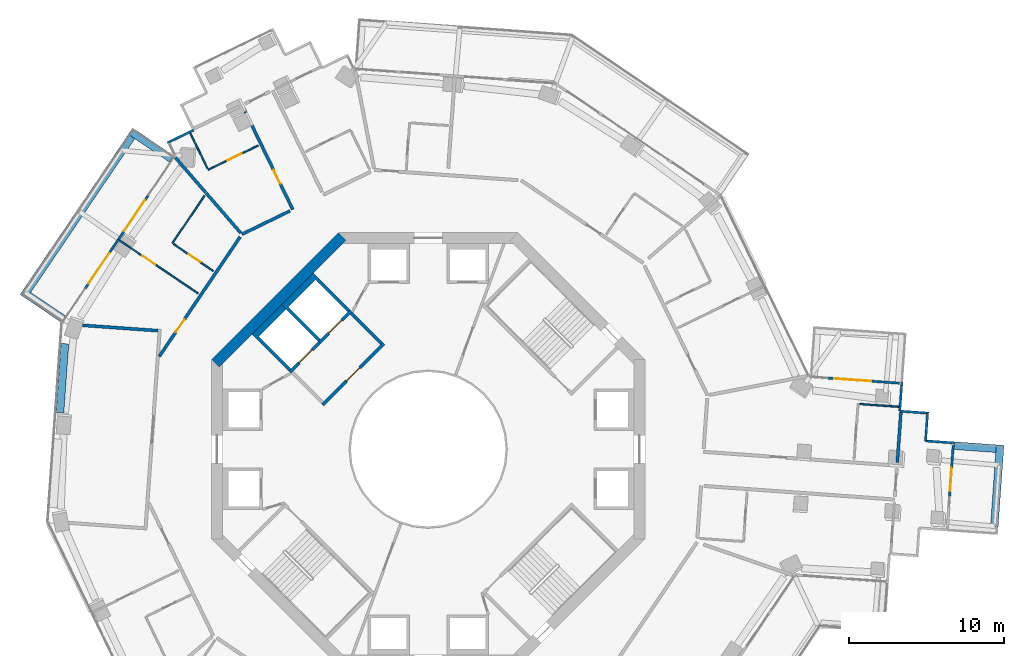
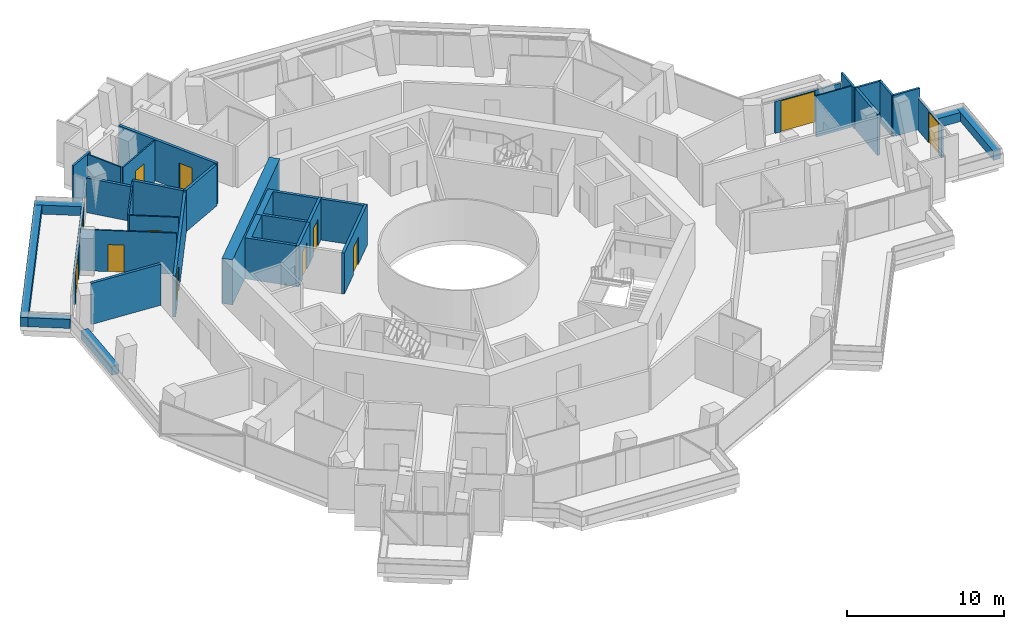
# One storey, part 17 of 22: 35 walls, 12 doors, 12 openings.
"""IFC4 building model written with IfcOpenShell, lengths in metres."""

from ifc_helpers import new_model, si_unit, direction, frame, frame_2d, origin, place, context, subcontext, project, spatial, polyline, rectangle, outline, extrude, material, layer, layer_set, type_object, element, fill, save


model = new_model("IFC4")

# Units and contexts
model_context = context("Model", 3, precision=1e-05, world=origin(), true_north=direction((0.0, 1.0)))
body_context = subcontext(model_context, "Body", "Model", "MODEL_VIEW")
ifc_project = project(units=[si_unit("LENGTHUNIT", "METRE"), si_unit("AREAUNIT", "SQUARE_METRE"), si_unit("VOLUMEUNIT", "CUBIC_METRE"), si_unit("PLANEANGLEUNIT", "RADIAN"), si_unit("MASSUNIT", "GRAM", prefix="KILO")], contexts=[model_context])

# Site, building, storey
site_placement = place(None, origin())
site = spatial("IfcSite", under=ifc_project, at=site_placement, CompositionType="ELEMENT")
building_placement = place(site_placement, origin())
building = spatial("IfcBuilding", under=site, at=building_placement, Name="Verdalira Terraces Hotel", CompositionType="ELEMENT")
storey_placement = place(building_placement, frame((0.0, 0.0, 140.0)))
storey = spatial("IfcBuildingStorey", under=building, at=storey_placement, Name="L33", CompositionType="ELEMENT", Elevation=140.0)

# Walls
ifc_material_1 = material(Name="Concrete C40", Category="concrete")
ifc_layer_1 = layer(ifc_material_1, 0.5)
ifc_layer_set_1 = layer_set([ifc_layer_1], Name="Balcony planter trough with tree")
wall_type_1 = type_object("IfcWallType", Name="Balcony planter trough with tree", PredefinedType="SOLIDWALL", material=ifc_layer_set_1)
wall_1_placement = place(storey_placement, frame((-16.59082, 18.770264, 0.0), z_axis=(0.0, 0.0, 1.0), x_axis=(-0.828214652, 0.560411001, 0.0)))
element("IfcWall", 1, at=wall_1_placement, inside=storey, type_object=wall_type_1, Name="Balcony planter", PredefinedType="SOLIDWALL", context=body_context, shape_type="SweptSolid", body=[
    extrude(rectangle(XDim=3.198975, YDim=0.5, at=frame_2d((1.599609, 0.0))), origin(), (0.0, 0.0, 1.0), 0.699951),
])
wall_2_placement = place(storey_placement, frame((-19.17334, 20.21582, 0.0), z_axis=(0.0, 0.0, 1.0), x_axis=(-0.560348383, -0.828257019, 0.0)))
element("IfcWall", 2, at=wall_2_placement, inside=storey, type_object=wall_type_1, Name="Balcony planter", PredefinedType="SOLIDWALL", context=body_context, shape_type="SweptSolid", body=[
    extrude(rectangle(XDim=12.5, YDim=0.5, at=frame_2d((6.25, 0.0))), origin(), (0.0, 0.0, 1.0), 0.699951),
])
wall_3_placement = place(storey_placement, frame((-25.830566, 9.929443, 0.0), z_axis=(0.0, 0.0, 1.0), x_axis=(0.828231551, -0.560386026, 0.0)))
element("IfcWall", 3, at=wall_3_placement, inside=storey, type_object=wall_type_1, Name="Balcony planter", PredefinedType="SOLIDWALL", context=body_context, shape_type="SweptSolid", body=[
    extrude(rectangle(XDim=2.698975, YDim=0.5, at=frame_2d((1.349609, 0.0))), origin(), (0.0, 0.0, 1.0), 0.699951),
])
wall_4_placement = place(storey_placement, frame((36.5896, -5.016113, 0.0), z_axis=(0.0, 0.0, 1.0), x_axis=(0.071168484, 0.997464309, 0.0)))
element("IfcWall", 4, at=wall_4_placement, inside=storey, type_object=wall_type_1, Name="Balcony planter", PredefinedType="SOLIDWALL", context=body_context, shape_type="SweptSolid", body=[
    extrude(rectangle(XDim=5.300049, YDim=0.5, at=frame_2d((2.649902, 0.0))), origin(), (0.0, 0.0, 1.0), 0.699951),
])
wall_5_placement = place(storey_placement, frame((36.699707, 0.039062, 0.0), z_axis=(0.0, 0.0, 1.0), x_axis=(-0.997469707, 0.071092781, 0.0)))
element("IfcWall", 5, at=wall_5_placement, inside=storey, type_object=wall_type_1, Name="Balcony planter", PredefinedType="SOLIDWALL", context=body_context, shape_type="SweptSolid", body=[
    extrude(rectangle(XDim=2.699219, YDim=0.5, at=frame_2d((1.349609, 0.0))), origin(), (0.0, 0.0, 1.0), 0.699951),
])

# Wall, opening, door
ifc_material_2 = material(Name="Moisture-resistant gypsum board partition")
ifc_layer_2 = layer(ifc_material_2, 0.10009765625)
ifc_layer_set_2 = layer_set([ifc_layer_2], Name="Bathroom partition 100 mm")
wall_type_2 = type_object("IfcWallType", Name="Bathroom partition 100 mm", PredefinedType="PARTITIONING", material=ifc_layer_set_2)
wall_6_placement = place(storey_placement, frame((-19.968018, 13.509033, 0.0), z_axis=(0.0, 0.0, 1.0), x_axis=(0.828275285, -0.560321383, 0.0)))
wall_6 = element("IfcWall", 6, at=wall_6_placement, inside=storey, type_object=wall_type_2, Name="Bathroom partition", PredefinedType="PARTITIONING", context=body_context, shape_type="SweptSolid", body=[
    extrude(rectangle(XDim=6.150146, YDim=0.100098, at=frame_2d((3.075195, 0.0))), origin(), (0.0, 0.0, 1.0), 3.189941),
])
opening_1_placement = place(wall_6_placement, frame((1.800049, 0.0, 0.0)))
opening_1 = element("IfcOpeningElement", 7, at=opening_1_placement, cuts=wall_6, Name="Opening L33-107", PredefinedType="OPENING", context=body_context, shape_type="SweptSolid", body=[
    extrude(rectangle(XDim=1.0, YDim=2.100098, at=frame_2d((0.5, 1.050049))), frame((0.0, 0.060059, 0.0), z_axis=(0.0, -1.0, 0.0), x_axis=(1.0, 0.0, 0.0)), (0.0, 0.0, 1.0), 0.120117),
])
ifc_material_3 = material(Name="Timber door", Category="wood")
door_type_1 = type_object("IfcDoorType", Name="Suite internal door 1000 x 2100", OperationType="NOTDEFINED", PredefinedType="DOOR", material=ifc_material_3)
door_1_placement = place(opening_1_placement, origin())
door_1 = element("IfcDoor", 8, at=door_1_placement, inside=storey, type_object=door_type_1, Name="Suite internal door 3303", OperationType="SINGLE_SWING_LEFT", OverallHeight=2.10009765625, OverallWidth=1.0, PredefinedType="DOOR", context=body_context, shape_type="SweptSolid", body=[
    extrude(rectangle(XDim=1.0, YDim=2.100098, at=frame_2d((0.5, 1.050049))), frame((0.0, 0.024902, 0.0), z_axis=(0.0, -1.0, 0.0), x_axis=(1.0, 0.0, 0.0)), (0.0, 0.0, 1.0), 0.050049),
])
fill(opening_1, door_1)

# Wall
wall_7_placement = place(storey_placement, frame((-14.463623, 16.380371, 0.0), z_axis=(0.0, 0.0, 1.0), x_axis=(-0.560375864, -0.828238427, 0.0)))
element("IfcWall", 9, at=wall_7_placement, inside=storey, type_object=wall_type_2, Name="Bathroom partition", PredefinedType="PARTITIONING", context=body_context, shape_type="SweptSolid", body=[
    extrude(rectangle(XDim=3.704102, YDim=0.100098, at=frame_2d((1.852051, 0.0))), origin(), (0.0, 0.0, 1.0), 3.189941),
])

# Wall, opening, door
wall_8_placement = place(storey_placement, frame((-16.456299, 13.256348, 0.0), z_axis=(0.0, 0.0, 1.0), x_axis=(0.828238258, -0.560376113, 0.0)))
wall_8 = element("IfcWall", 10, at=wall_8_placement, inside=storey, type_object=wall_type_2, Name="Bathroom partition", PredefinedType="PARTITIONING", context=body_context, shape_type="SweptSolid", body=[
    extrude(rectangle(XDim=3.099854, YDim=0.100098, at=frame_2d((1.549805, 0.0))), origin(), (0.0, 0.0, 1.0), 3.189941),
])
opening_2_placement = place(wall_8_placement, frame((1.149902, 0.0, 0.0)))
opening_2 = element("IfcOpeningElement", 11, at=opening_2_placement, cuts=wall_8, Name="Opening L33-108", PredefinedType="OPENING", context=body_context, shape_type="SweptSolid", body=[
    extrude(rectangle(XDim=0.899902, YDim=2.100098, at=frame_2d((0.449951, 1.050049))), frame((0.0, 0.060059, 0.0), z_axis=(0.0, -1.0, 0.0), x_axis=(1.0, 0.0, 0.0)), (0.0, 0.0, 1.0), 0.120117),
])
ifc_material_4 = material(Name="Timber door", Category="wood")
door_type_2 = type_object("IfcDoorType", Name="Bathroom door 900 x 2100", OperationType="NOTDEFINED", PredefinedType="DOOR", material=ifc_material_4)
door_2_placement = place(opening_2_placement, origin())
door_2 = element("IfcDoor", 12, at=door_2_placement, inside=storey, type_object=door_type_2, Name="Bathroom door 3303", OperationType="SINGLE_SWING_LEFT", OverallHeight=2.10009765625, OverallWidth=0.89990234375, PredefinedType="DOOR", context=body_context, shape_type="SweptSolid", body=[
    extrude(rectangle(XDim=0.899902, YDim=2.100098, at=frame_2d((0.449951, 1.050049))), frame((0.0, 0.024902, 0.0), z_axis=(0.0, -1.0, 0.0), x_axis=(1.0, 0.0, 0.0)), (0.0, 0.0, 1.0), 0.050049),
])
fill(opening_2, door_2)

# Wall
wall_9_placement = place(storey_placement, frame((-14.267578, 18.147217, 0.0), z_axis=(0.0, 0.0, 1.0), x_axis=(-0.437151835, 0.899387721, 0.0)))
element("IfcWall", 13, at=wall_9_placement, inside=storey, type_object=wall_type_2, Name="Bathroom partition", PredefinedType="PARTITIONING", context=body_context, shape_type="SweptSolid", body=[
    extrude(rectangle(XDim=2.550049, YDim=0.100098, at=frame_2d((1.274902, 0.0))), origin(), (0.0, 0.0, 1.0), 3.189941),
])

# Wall, opening, door
wall_10_placement = place(storey_placement, frame((-14.224121, 18.057373, 0.0), z_axis=(0.0, 0.0, 1.0), x_axis=(0.899428952, 0.437066998, 0.0)))
wall_10 = element("IfcWall", 14, at=wall_10_placement, inside=storey, type_object=wall_type_2, Name="Bathroom partition", PredefinedType="PARTITIONING", context=body_context, shape_type="SweptSolid", body=[
    extrude(rectangle(XDim=3.600098, YDim=0.100098, at=frame_2d((1.800049, 0.0))), origin(), (0.0, 0.0, 1.0), 3.189941),
])
opening_3_placement = place(wall_10_placement, frame((1.399902, 0.0, 0.0)))
opening_3 = element("IfcOpeningElement", 15, at=opening_3_placement, cuts=wall_10, Name="Opening L33-105", PredefinedType="OPENING", context=body_context, shape_type="SweptSolid", body=[
    extrude(rectangle(XDim=1.0, YDim=2.100098, at=frame_2d((0.5, 1.050049))), frame((0.0, 0.060059, 0.0), z_axis=(0.0, -1.0, 0.0), x_axis=(1.0, 0.0, 0.0)), (0.0, 0.0, 1.0), 0.120117),
])
ifc_material_5 = material(Name="Timber door", Category="wood")
door_type_3 = type_object("IfcDoorType", Name="Bathroom door 1000 x 2100", OperationType="NOTDEFINED", PredefinedType="DOOR", material=ifc_material_5)
door_3_placement = place(opening_3_placement, origin())
door_3 = element("IfcDoor", 16, at=door_3_placement, inside=storey, type_object=door_type_3, Name="Bathroom door 3302", OperationType="SINGLE_SWING_LEFT", OverallHeight=2.10009765625, OverallWidth=1.0, PredefinedType="DOOR", context=body_context, shape_type="SweptSolid", body=[
    extrude(rectangle(XDim=1.0, YDim=2.100098, at=frame_2d((0.5, 1.050049))), frame((0.0, 0.024902, 0.0), z_axis=(0.0, -1.0, 0.0), x_axis=(1.0, 0.0, 0.0)), (0.0, 0.0, 1.0), 0.050049),
])
fill(opening_3, door_3)

# Walls
wall_11_placement = place(storey_placement, frame((27.882568, 2.923584, 0.0), z_axis=(0.0, 0.0, 1.0), x_axis=(0.99746647, -0.071138183, 0.0)))
element("IfcWall", 17, at=wall_11_placement, inside=storey, type_object=wall_type_2, Name="Bathroom partition", PredefinedType="PARTITIONING", context=body_context, shape_type="SweptSolid", body=[
    extrude(rectangle(XDim=2.549805, YDim=0.100098, at=frame_2d((1.274902, 0.0))), origin(), (0.0, 0.0, 1.0), 3.189941),
])
ifc_material_6 = material(Name="Concrete C50", Category="concrete")
ifc_layer_3 = layer(ifc_material_6, 0.199951171875)
ifc_layer_set_3 = layer_set([ifc_layer_3], Name="Core RC wall 200 C50")
wall_type_3 = type_object("IfcWallType", Name="Core RC wall 200 C50", PredefinedType="SOLIDWALL", material=ifc_layer_set_3)
wall_12_placement = place(storey_placement, origin())
element("IfcWall", 18, at=wall_12_placement, inside=storey, type_object=wall_type_3, Name="L33 shaft wall F1", PredefinedType="SOLIDWALL", context=body_context, shape_type="SweptSolid", body=[
    extrude(outline(polyline([(-9.475098, 9.33374), (-7.424561, 11.384521), (-5.055908, 9.015625), (-5.197266, 8.874268), (-7.283203, 10.960205), (-9.051025, 9.192383), (-6.965088, 7.106445), (-7.106445, 6.965088), (-9.475098, 9.33374)])), origin(), (0.0, 0.0, 1.0), 3.189941),
])

# Wall, opening, door
wall_13_placement = place(storey_placement, frame((-4.985107, 8.944824, 0.0), z_axis=(0.0, 0.0, 1.0), x_axis=(-0.707106781, -0.707106781, 0.0)))
wall_13 = element("IfcWall", 19, at=wall_13_placement, inside=storey, type_object=wall_type_3, Name="L33 shaft front wall F1", PredefinedType="SOLIDWALL", context=body_context, shape_type="SweptSolid", body=[
    extrude(rectangle(XDim=2.899902, YDim=0.199951, at=frame_2d((1.449951, 0.0))), origin(), (0.0, 0.0, 1.0), 3.189941),
])
opening_4_placement = place(wall_13_placement, frame((0.850098, 0.0, 0.0)))
opening_4 = element("IfcOpeningElement", 20, at=opening_4_placement, cuts=wall_13, Name="Opening LD-L33-807", PredefinedType="OPENING", context=body_context, shape_type="SweptSolid", body=[
    extrude(rectangle(XDim=1.199951, YDim=2.100098, at=frame_2d((0.600098, 1.050049))), frame((0.0, 0.109863, 0.0), z_axis=(0.0, -1.0, 0.0), x_axis=(1.0, 0.0, 0.0)), (0.0, 0.0, 1.0), 0.219971),
])
ifc_material_7 = material(Name="Stainless steel", Category="steel")
door_type_4 = type_object("IfcDoorType", Name="Landing door 1200 x 2100", OperationType="NOTDEFINED", PredefinedType="DOOR", material=ifc_material_7)
door_4_placement = place(opening_4_placement, origin())
door_4 = element("IfcDoor", 21, at=door_4_placement, inside=storey, type_object=door_type_4, Name="Lift landing door LF11 L33", OperationType="DOUBLE_DOOR_SLIDING", OverallHeight=2.10009765625, OverallWidth=1.199951171875, PredefinedType="DOOR", context=body_context, shape_type="SweptSolid", body=[
    extrude(rectangle(XDim=1.199951, YDim=2.100098, at=frame_2d((0.600098, 1.050049))), frame((0.0, 0.024902, 0.0), z_axis=(0.0, -1.0, 0.0), x_axis=(1.0, 0.0, 0.0)), (0.0, 0.0, 1.0), 0.050049),
])
fill(opening_4, door_4)

# Wall
wall_14_placement = place(storey_placement, origin())
element("IfcWall", 22, at=wall_14_placement, inside=storey, type_object=wall_type_3, Name="L33 shaft wall F2", PredefinedType="SOLIDWALL", context=body_context, shape_type="SweptSolid", body=[
    extrude(outline(polyline([(-11.384521, 7.424561), (-9.475098, 9.33374), (-9.192383, 9.051025), (-10.960205, 7.283203), (-8.874268, 5.197266), (-9.015625, 5.055908), (-11.384521, 7.424561)])), origin(), (0.0, 0.0, 1.0), 3.189941),
])

# Wall, opening, door
wall_15_placement = place(storey_placement, frame((-7.035645, 6.894287, 0.0), z_axis=(0.0, 0.0, 1.0), x_axis=(-0.707106781, -0.707106781, 0.0)))
wall_15 = element("IfcWall", 23, at=wall_15_placement, inside=storey, type_object=wall_type_3, Name="L33 shaft front wall F2", PredefinedType="SOLIDWALL", context=body_context, shape_type="SweptSolid", body=[
    extrude(rectangle(XDim=2.699951, YDim=0.199951, at=frame_2d((1.350098, 0.0))), origin(), (0.0, 0.0, 1.0), 3.189941),
])
opening_5_placement = place(wall_15_placement, frame((0.649902, 0.0, 0.0)))
opening_5 = element("IfcOpeningElement", 24, at=opening_5_placement, cuts=wall_15, Name="Opening LD-L33-808", PredefinedType="OPENING", context=body_context, shape_type="SweptSolid", body=[
    extrude(rectangle(XDim=1.199951, YDim=2.100098, at=frame_2d((0.600098, 1.050049))), frame((0.0, 0.109863, 0.0), z_axis=(0.0, -1.0, 0.0), x_axis=(1.0, 0.0, 0.0)), (0.0, 0.0, 1.0), 0.219971),
])
door_5_placement = place(opening_5_placement, origin())
door_5 = element("IfcDoor", 25, at=door_5_placement, inside=storey, type_object=door_type_4, Name="Lift landing door LF12 L33", OperationType="DOUBLE_DOOR_SLIDING", OverallHeight=2.10009765625, OverallWidth=1.199951171875, PredefinedType="DOOR", context=body_context, shape_type="SweptSolid", body=[
    extrude(rectangle(XDim=1.199951, YDim=2.100098, at=frame_2d((0.600098, 1.050049))), frame((0.0, 0.024902, 0.0), z_axis=(0.0, -1.0, 0.0), x_axis=(1.0, 0.0, 0.0)), (0.0, 0.0, 1.0), 0.050049),
])
fill(opening_5, door_5)

wall_16_placement = place(storey_placement, frame((-2.86377, 6.823486, 0.0), z_axis=(0.0, 0.0, 1.0), x_axis=(-0.707106781, -0.707106781, 0.0)))
wall_16 = element("IfcWall", 26, at=wall_16_placement, inside=storey, type_object=wall_type_3, Name="L33 fire lobby wall", PredefinedType="SOLIDWALL", context=body_context, shape_type="SweptSolid", body=[
    extrude(rectangle(XDim=5.599854, YDim=0.199951, at=frame_2d((2.799805, 0.0))), origin(), (0.0, 0.0, 1.0), 3.189941),
])
opening_6_placement = place(wall_16_placement, frame((2.199951, 0.0, 0.0)))
opening_6 = element("IfcOpeningElement", 27, at=opening_6_placement, cuts=wall_16, Name="Opening L33-819", PredefinedType="OPENING", context=body_context, shape_type="SweptSolid", body=[
    extrude(rectangle(XDim=1.199951, YDim=2.100098, at=frame_2d((0.600098, 1.050049))), frame((0.0, 0.109863, 0.0), z_axis=(0.0, -1.0, 0.0), x_axis=(1.0, 0.0, 0.0)), (0.0, 0.0, 1.0), 0.219971),
])
ifc_material_8 = material(Name="Steel fire door", Category="steel")
door_type_5 = type_object("IfcDoorType", Name="Lobby door 1200 x 2100", OperationType="NOTDEFINED", PredefinedType="DOOR", material=ifc_material_8)
door_6_placement = place(opening_6_placement, origin())
door_6 = element("IfcDoor", 28, at=door_6_placement, inside=storey, type_object=door_type_5, Name="Fire lobby door L33", OperationType="SINGLE_SWING_LEFT", OverallHeight=2.10009765625, OverallWidth=1.199951171875, PredefinedType="DOOR", context=body_context, shape_type="SweptSolid", body=[
    extrude(rectangle(XDim=1.199951, YDim=2.100098, at=frame_2d((0.600098, 1.050049))), frame((0.0, 0.024902, 0.0), z_axis=(0.0, -1.0, 0.0), x_axis=(1.0, 0.0, 0.0)), (0.0, 0.0, 1.0), 0.050049),
])
fill(opening_6, door_6)

# Walls
wall_17_placement = place(storey_placement, frame((-3.005127, 6.823486, 0.0), z_axis=(0.0, 0.0, 1.0), x_axis=(-0.707106781, 0.707106781, 0.0)))
element("IfcWall", 29, at=wall_17_placement, inside=storey, type_object=wall_type_3, Name="L33 fire lobby wall", PredefinedType="SOLIDWALL", context=body_context, shape_type="SweptSolid", body=[
    extrude(rectangle(XDim=2.800049, YDim=0.199951, at=frame_2d((1.399902, 0.0))), origin(), (0.0, 0.0, 1.0), 3.189941),
])
ifc_material_9 = material(Name="Concrete C60", Category="concrete")
ifc_layer_4 = layer(ifc_material_9, 0.699951171875)
ifc_layer_set_4 = layer_set([ifc_layer_4], Name="Core wall 700 C60")
wall_type_4 = type_object("IfcWallType", Name="Core wall 700 C60", PredefinedType="SHEAR", material=ifc_layer_set_4)
wall_18_placement = place(storey_placement, frame((-5.551514, 13.752441, 0.0), z_axis=(0.0, 0.0, 1.0), x_axis=(-0.707106781, -0.707106781, 0.0)))
element("IfcWall", 30, at=wall_18_placement, inside=storey, type_object=wall_type_4, Name="Core wall CW-L33-4", PredefinedType="SHEAR", context=body_context, shape_type="SweptSolid", body=[
    extrude(rectangle(XDim=11.5979, YDim=0.699951, at=frame_2d((5.798828, 0.0))), origin(), (0.0, 0.0, 1.0), 3.5),
])
ifc_material_10 = material(Name="Fire-rated gypsum board wall")
ifc_layer_5 = layer(ifc_material_10, 0.199951171875)
ifc_layer_set_5 = layer_set([ifc_layer_5], Name="Demising wall 200 mm")
wall_type_5 = type_object("IfcWallType", Name="Demising wall 200 mm", PredefinedType="SOLIDWALL", material=ifc_layer_set_5)
wall_19_placement = place(storey_placement, frame((-12.109863, 13.970215, 0.0), z_axis=(0.0, 0.0, 1.0), x_axis=(-0.655039289, 0.755594819, 0.0)))
element("IfcWall", 31, at=wall_19_placement, inside=storey, type_object=wall_type_5, Name="Demising wall", PredefinedType="SOLIDWALL", context=body_context, shape_type="SweptSolid", body=[
    extrude(rectangle(XDim=3.418457, YDim=0.199951, at=frame_2d((1.709229, 0.0))), origin(), (0.0, 0.0, 1.0), 3.189941),
])
wall_20_placement = place(storey_placement, frame((30.319336, -0.861328, 0.0), z_axis=(0.0, 0.0, 1.0), x_axis=(0.071172355, 0.997464032, 0.0)))
element("IfcWall", 32, at=wall_20_placement, inside=storey, type_object=wall_type_5, Name="Demising wall", PredefinedType="SOLIDWALL", context=body_context, shape_type="SweptSolid", body=[
    extrude(rectangle(XDim=3.251953, YDim=0.199951, at=frame_2d((1.625977, 0.0))), origin(), (0.0, 0.0, 1.0), 3.189941),
])
ifc_material_11 = material(Name="Fire-rated gypsum board wall")
ifc_layer_6 = layer(ifc_material_11, 0.199951171875)
ifc_layer_set_6 = layer_set([ifc_layer_6], Name="Demising wall 200 mm to beam soffit")
wall_type_6 = type_object("IfcWallType", Name="Demising wall 200 mm to beam soffit", PredefinedType="SOLIDWALL", material=ifc_layer_set_6)
wall_21_placement = place(storey_placement, frame((-14.37915, 16.587891, 0.0), z_axis=(0.0, 0.0, 1.0), x_axis=(-0.654967575, 0.755656983, 0.0)))
element("IfcWall", 33, at=wall_21_placement, inside=storey, type_object=wall_type_6, Name="Demising wall", PredefinedType="SOLIDWALL", context=body_context, shape_type="SweptSolid", body=[
    extrude(rectangle(XDim=3.011475, YDim=0.199951, at=frame_2d((1.505859, 0.0))), origin(), (0.0, 0.0, 1.0), 2.689941),
])

# Wall, opening, door
ifc_material_12 = material(Name="Fire-rated gypsum board wall")
ifc_layer_7 = layer(ifc_material_12, 0.199951171875)
ifc_layer_set_7 = layer_set([ifc_layer_7], Name="Guest corridor wall 200 mm")
wall_type_7 = type_object("IfcWallType", Name="Guest corridor wall 200 mm", PredefinedType="SOLIDWALL", material=ifc_layer_set_7)
wall_22_placement = place(storey_placement, frame((-17.385986, 5.993164, 0.0), z_axis=(0.0, 0.0, 1.0), x_axis=(0.560341553, 0.82826164, 0.0)))
wall_22 = element("IfcWall", 34, at=wall_22_placement, inside=storey, type_object=wall_type_7, Name="Guest corridor wall", PredefinedType="SOLIDWALL", context=body_context, shape_type="SweptSolid", body=[
    extrude(rectangle(XDim=9.33667, YDim=0.199951, at=frame_2d((4.668457, 0.0))), origin(), (0.0, 0.0, 1.0), 3.189941),
])
opening_7_placement = place(wall_22_placement, frame((1.899902, 0.0, 0.0)))
opening_7 = element("IfcOpeningElement", 35, at=opening_7_placement, cuts=wall_22, Name="Opening L33-106", PredefinedType="OPENING", context=body_context, shape_type="SweptSolid", body=[
    extrude(rectangle(XDim=1.0, YDim=2.100098, at=frame_2d((0.5, 1.050049))), frame((0.0, 0.109863, 0.0), z_axis=(0.0, -1.0, 0.0), x_axis=(1.0, 0.0, 0.0)), (0.0, 0.0, 1.0), 0.219971),
])
ifc_material_13 = material(Name="Timber fire door", Category="wood")
door_type_6 = type_object("IfcDoorType", Name="Guest entry door 1000 x 2100", OperationType="NOTDEFINED", PredefinedType="DOOR", material=ifc_material_13)
door_7_placement = place(opening_7_placement, origin())
door_7 = element("IfcDoor", 36, at=door_7_placement, inside=storey, type_object=door_type_6, Name="Guest entry door 3303", OperationType="SINGLE_SWING_LEFT", OverallHeight=2.10009765625, OverallWidth=1.0, PredefinedType="DOOR", context=body_context, shape_type="SweptSolid", body=[
    extrude(rectangle(XDim=1.0, YDim=2.100098, at=frame_2d((0.5, 1.050049))), frame((0.0, 0.024902, 0.0), z_axis=(0.0, -1.0, 0.0), x_axis=(1.0, 0.0, 0.0)), (0.0, 0.0, 1.0), 0.050049),
])
fill(opening_7, door_7)

# Wall
wall_23_placement = place(storey_placement, frame((-8.931641, 15.403809, 0.0), z_axis=(0.0, 0.0, 1.0), x_axis=(-0.899397153, -0.437132431, 0.0)))
element("IfcWall", 37, at=wall_23_placement, inside=storey, type_object=wall_type_7, Name="Guest corridor wall", PredefinedType="SOLIDWALL", context=body_context, shape_type="SweptSolid", body=[
    extrude(rectangle(XDim=3.458252, YDim=0.199951, at=frame_2d((1.729004, 0.0))), origin(), (0.0, 0.0, 1.0), 3.189941),
])

# Wall, opening, door
wall_24_placement = place(storey_placement, frame((-8.751709, 15.491211, 0.0), z_axis=(0.0, 0.0, 1.0), x_axis=(-0.437146262, 0.89939043, 0.0)))
wall_24 = element("IfcWall", 38, at=wall_24_placement, inside=storey, type_object=wall_type_7, Name="Guest corridor wall", PredefinedType="SOLIDWALL", context=body_context, shape_type="SweptSolid", body=[
    extrude(rectangle(XDim=7.5, YDim=0.199951, at=frame_2d((3.75, 0.0))), origin(), (0.0, 0.0, 1.0), 3.189941),
])
opening_8_placement = place(wall_24_placement, frame((1.850098, 0.0, 0.0)))
opening_8 = element("IfcOpeningElement", 39, at=opening_8_placement, cuts=wall_24, Name="Opening L33-104", PredefinedType="OPENING", context=body_context, shape_type="SweptSolid", body=[
    extrude(rectangle(XDim=1.0, YDim=2.100098, at=frame_2d((0.5, 1.050049))), frame((0.0, 0.109863, 0.0), z_axis=(0.0, -1.0, 0.0), x_axis=(1.0, 0.0, 0.0)), (0.0, 0.0, 1.0), 0.219971),
])
door_8_placement = place(opening_8_placement, origin())
door_8 = element("IfcDoor", 40, at=door_8_placement, inside=storey, type_object=door_type_6, Name="Guest entry door 3302", OperationType="SINGLE_SWING_LEFT", OverallHeight=2.10009765625, OverallWidth=1.0, PredefinedType="DOOR", context=body_context, shape_type="SweptSolid", body=[
    extrude(rectangle(XDim=1.0, YDim=2.100098, at=frame_2d((0.5, 1.050049))), frame((0.0, 0.024902, 0.0), z_axis=(0.0, -1.0, 0.0), x_axis=(1.0, 0.0, 0.0)), (0.0, 0.0, 1.0), 0.050049),
])
fill(opening_8, door_8)

# Walls
ifc_material_14 = material(Name="Terracotta cladding", Category="masonry")
ifc_layer_8 = layer(ifc_material_14, 0.199951171875)
ifc_layer_set_8 = layer_set([ifc_layer_8], Name="Loggia back wall 200")
wall_type_8 = type_object("IfcWallType", Name="Loggia back wall 200", PredefinedType="SOLIDWALL", material=ifc_layer_set_8)
wall_25_placement = place(storey_placement, frame((-22.349365, 8.010498, 0.0), z_axis=(0.0, 0.0, 1.0), x_axis=(0.997466527, -0.071137379, 0.0)))
element("IfcWall", 41, at=wall_25_placement, inside=storey, type_object=wall_type_8, Name="Loggia side wall", PredefinedType="SOLIDWALL", context=body_context, shape_type="SweptSolid", body=[
    extrude(rectangle(XDim=4.904297, YDim=0.199951, at=frame_2d((2.452148, 0.0))), origin(), (0.0, 0.0, 1.0), 3.189941),
])
ifc_material_15 = material(Name="Concrete C40", Category="concrete")
ifc_layer_9 = layer(ifc_material_15, 0.5)
ifc_layer_set_9 = layer_set([ifc_layer_9], Name="Loggia planter trough with tree")
wall_type_9 = type_object("IfcWallType", Name="Loggia planter trough with tree", PredefinedType="SOLIDWALL", material=ifc_layer_set_9)
wall_26_placement = place(storey_placement, frame((-23.482666, 6.820068, 0.0), z_axis=(0.0, 0.0, 1.0), x_axis=(-0.071153625, -0.997465369, 0.0)))
element("IfcWall", 42, at=wall_26_placement, inside=storey, type_object=wall_type_9, Name="Loggia planter", PredefinedType="SOLIDWALL", context=body_context, shape_type="SweptSolid", body=[
    extrude(rectangle(XDim=4.457031, YDim=0.5, at=frame_2d((2.228516, 0.0))), origin(), (0.0, 0.0, 1.0), 0.699951),
])
ifc_material_16 = material(Name="Terracotta cladding", Category="masonry")
ifc_layer_10 = layer(ifc_material_16, 0.14990234375)
ifc_layer_set_10 = layer_set([ifc_layer_10], Name="Terracotta clad wall 150")
wall_type_10 = type_object("IfcWallType", Name="Terracotta clad wall 150", PredefinedType="SOLIDWALL", material=ifc_layer_set_10)
for number, where, z_axis, x_axis, name in (
    (43, (-15.167725, 20.628418, 0.0), (0.0, 0.0, 1.0), (-0.899421886, -0.437081539, 0.0), "Terracotta cladding wall"),
    (44, (34.018799, 0.405518, 0.0), (0.0, 0.0, 1.0), (-0.997460022, 0.071228542, 0.0), "Terracotta cladding wall"),
):
    element("IfcWall", number, at=place(storey_placement, frame(where, z_axis=z_axis, x_axis=x_axis)), inside=storey, type_object=wall_type_10, Name=name, PredefinedType="SOLIDWALL", context=body_context, shape_type="SweptSolid", body=[
        extrude(rectangle(XDim=1.875, YDim=0.149902, at=frame_2d((0.9375, 0.0))), origin(), (0.0, 0.0, 1.0), 3.189941),
    ])
wall_27_placement = place(storey_placement, frame((32.148682, 0.539062, 0.0), z_axis=(0.0, 0.0, 1.0), x_axis=(0.071073544, 0.997471078, 0.0)))
element("IfcWall", 45, at=wall_27_placement, inside=storey, type_object=wall_type_10, Name="Terracotta cladding wall", PredefinedType="SOLIDWALL", context=body_context, shape_type="SweptSolid", body=[
    extrude(rectangle(XDim=1.800049, YDim=0.149902, at=frame_2d((0.899902, 0.0))), origin(), (0.0, 0.0, 1.0), 3.189941),
])
wall_28_placement = place(storey_placement, frame((32.351562, 2.329102, 0.0), z_axis=(0.0, 0.0, 1.0), x_axis=(-0.997469923, 0.07108975, 0.0)))
element("IfcWall", 46, at=wall_28_placement, inside=storey, type_object=wall_type_10, Name="Terracotta cladding wall", PredefinedType="SOLIDWALL", context=body_context, shape_type="SweptSolid", body=[
    extrude(rectangle(XDim=1.875, YDim=0.149902, at=frame_2d((0.9375, 0.0))), origin(), (0.0, 0.0, 1.0), 3.189941),
])
wall_29_placement = place(storey_placement, frame((30.481201, 2.462402, 0.0), z_axis=(0.0, 0.0, 1.0), x_axis=(0.071219292, 0.997460682, 0.0)))
element("IfcWall", 47, at=wall_29_placement, inside=storey, type_object=wall_type_10, Name="Terracotta cladding wall", PredefinedType="SOLIDWALL", context=body_context, shape_type="SweptSolid", body=[
    extrude(rectangle(XDim=1.875244, YDim=0.149902, at=frame_2d((0.9375, 0.0))), origin(), (0.0, 0.0, 1.0), 3.189941),
])

# Wall, opening, door
ifc_material_17 = material(Name="Terracotta cladding", Category="masonry")
ifc_layer_11 = layer(ifc_material_17, 0.14990234375)
ifc_layer_set_11 = layer_set([ifc_layer_11], Name="Terracotta door pier 150")
wall_type_11 = type_object("IfcWallType", Name="Terracotta door pier 150", PredefinedType="SOLIDWALL", material=ifc_layer_set_11)
wall_30_placement = place(storey_placement, frame((-18.082764, 16.429199, 0.0), z_axis=(0.0, 0.0, 1.0), x_axis=(-0.560361819, -0.828247929, 0.0)))
wall_30 = element("IfcWall", 48, at=wall_30_placement, inside=storey, type_object=wall_type_11, Name="Terracotta door pier", PredefinedType="SOLIDWALL", context=body_context, shape_type="SweptSolid", body=[
    extrude(rectangle(XDim=3.475098, YDim=0.149902, at=frame_2d((1.737549, 0.0))), origin(), (0.0, 0.0, 1.0), 2.475098),
])
opening_9_placement = place(wall_30_placement, frame((0.399902, 0.0, 0.0)))
opening_9 = element("IfcOpeningElement", 49, at=opening_9_placement, cuts=wall_30, Name="Opening L33-B01", PredefinedType="OPENING", context=body_context, shape_type="SweptSolid", body=[
    extrude(rectangle(XDim=2.399902, YDim=2.399902, at=frame_2d((1.199951, 1.199951))), frame((0.0, 0.084961, 0.0), z_axis=(0.0, -1.0, 0.0), x_axis=(1.0, 0.0, 0.0)), (0.0, 0.0, 1.0), 0.169922),
])
ifc_material_18 = material(Name="Clear glass", Category="glass")
door_type_7 = type_object("IfcDoorType", Name="Balcony sliding door 2400x2400", OperationType="NOTDEFINED", PredefinedType="DOOR", material=ifc_material_18)
door_9_placement = place(opening_9_placement, origin())
door_9 = element("IfcDoor", 50, at=door_9_placement, inside=storey, type_object=door_type_7, Name="Balcony sliding door", OperationType="SLIDING_TO_RIGHT", OverallHeight=2.39990234375, OverallWidth=2.39990234375, PredefinedType="DOOR", context=body_context, shape_type="SweptSolid", body=[
    extrude(rectangle(XDim=2.399902, YDim=2.399902, at=frame_2d((1.199951, 1.199951))), frame((0.0, 0.024902, 0.0), z_axis=(0.0, -1.0, 0.0), x_axis=(1.0, 0.0, 0.0)), (0.0, 0.0, 1.0), 0.050049),
])
fill(opening_9, door_9)

wall_31_placement = place(storey_placement, frame((-20.030029, 13.551025, 0.0), z_axis=(0.0, 0.0, 1.0), x_axis=(-0.560342762, -0.828260822, 0.0)))
wall_31 = element("IfcWall", 51, at=wall_31_placement, inside=storey, type_object=wall_type_11, Name="Terracotta door pier", PredefinedType="SOLIDWALL", context=body_context, shape_type="SweptSolid", body=[
    extrude(rectangle(XDim=3.835449, YDim=0.149902, at=frame_2d((1.917725, 0.0))), origin(), (0.0, 0.0, 1.0), 2.475098),
])
opening_10_placement = place(wall_31_placement, frame((1.0354, 0.0, 0.0)))
opening_10 = element("IfcOpeningElement", 52, at=opening_10_placement, cuts=wall_31, Name="Opening L33-B02", PredefinedType="OPENING", context=body_context, shape_type="SweptSolid", body=[
    extrude(rectangle(XDim=2.399902, YDim=2.399902, at=frame_2d((1.199951, 1.199951))), frame((0.0, 0.084961, 0.0), z_axis=(0.0, -1.0, 0.0), x_axis=(1.0, 0.0, 0.0)), (0.0, 0.0, 1.0), 0.169922),
])
door_10_placement = place(opening_10_placement, origin())
door_10 = element("IfcDoor", 53, at=door_10_placement, inside=storey, type_object=door_type_7, Name="Balcony sliding door", OperationType="SLIDING_TO_LEFT", OverallHeight=2.39990234375, OverallWidth=2.39990234375, PredefinedType="DOOR", context=body_context, shape_type="SweptSolid", body=[
    extrude(rectangle(XDim=2.399902, YDim=2.399902, at=frame_2d((1.199951, 1.199951))), frame((0.0, 0.024902, 0.0), z_axis=(0.0, -1.0, 0.0), x_axis=(1.0, 0.0, 0.0)), (0.0, 0.0, 1.0), 0.050049),
])
fill(opening_10, door_10)

wall_32_placement = place(storey_placement, frame((33.694092, -3.095215, 0.0), z_axis=(0.0, 0.0, 1.0), x_axis=(0.07113345, 0.997466808, 0.0)))
wall_32 = element("IfcWall", 54, at=wall_32_placement, inside=storey, type_object=wall_type_11, Name="Terracotta door pier", PredefinedType="SOLIDWALL", context=body_context, shape_type="SweptSolid", body=[
    extrude(rectangle(XDim=3.360107, YDim=0.149902, at=frame_2d((1.680176, 0.0))), origin(), (0.0, 0.0, 1.0), 2.475098),
])
opening_11_placement = place(wall_32_placement, frame((0.399902, 0.0, 0.0)))
opening_11 = element("IfcOpeningElement", 55, at=opening_11_placement, cuts=wall_32, Name="Opening L33-B09", PredefinedType="OPENING", context=body_context, shape_type="SweptSolid", body=[
    extrude(rectangle(XDim=1.5, YDim=2.399902, at=frame_2d((0.75, 1.199951))), frame((0.0, 0.084961, 0.0), z_axis=(0.0, -1.0, 0.0), x_axis=(1.0, 0.0, 0.0)), (0.0, 0.0, 1.0), 0.169922),
])
ifc_material_19 = material(Name="Clear glass", Category="glass")
door_type_8 = type_object("IfcDoorType", Name="Balcony sliding door 1500x2400", OperationType="NOTDEFINED", PredefinedType="DOOR", material=ifc_material_19)
door_11_placement = place(opening_11_placement, origin())
door_11 = element("IfcDoor", 56, at=door_11_placement, inside=storey, type_object=door_type_8, Name="Balcony sliding door", OperationType="SLIDING_TO_RIGHT", OverallHeight=2.39990234375, OverallWidth=1.5, PredefinedType="DOOR", context=body_context, shape_type="SweptSolid", body=[
    extrude(rectangle(XDim=1.5, YDim=2.399902, at=frame_2d((0.75, 1.199951))), frame((0.0, 0.024902, 0.0), z_axis=(0.0, -1.0, 0.0), x_axis=(1.0, 0.0, 0.0)), (0.0, 0.0, 1.0), 0.050049),
])
fill(opening_11, door_11)

wall_33_placement = place(storey_placement, frame((30.4646, 4.268311, 0.0), z_axis=(0.0, 0.0, 1.0), x_axis=(-0.99746803, 0.071116312, 0.0)))
wall_33 = element("IfcWall", 57, at=wall_33_placement, inside=storey, type_object=wall_type_11, Name="Terracotta door pier", PredefinedType="SOLIDWALL", context=body_context, shape_type="SweptSolid", body=[
    extrude(rectangle(XDim=4.644775, YDim=0.149902, at=frame_2d((2.322266, 0.0))), origin(), (0.0, 0.0, 1.0), 2.475098),
])
opening_12_placement = place(wall_33_placement, frame((1.844971, 0.0, 0.0)))
opening_12 = element("IfcOpeningElement", 58, at=opening_12_placement, cuts=wall_33, Name="Opening L33-B10", PredefinedType="OPENING", context=body_context, shape_type="SweptSolid", body=[
    extrude(rectangle(XDim=2.399902, YDim=2.399902, at=frame_2d((1.199951, 1.199951))), frame((0.0, 0.084961, 0.0), z_axis=(0.0, -1.0, 0.0), x_axis=(1.0, 0.0, 0.0)), (0.0, 0.0, 1.0), 0.169922),
])
door_12_placement = place(opening_12_placement, origin())
door_12 = element("IfcDoor", 59, at=door_12_placement, inside=storey, type_object=door_type_7, Name="Balcony sliding door", OperationType="SLIDING_TO_LEFT", OverallHeight=2.39990234375, OverallWidth=2.39990234375, PredefinedType="DOOR", context=body_context, shape_type="SweptSolid", body=[
    extrude(rectangle(XDim=2.399902, YDim=2.399902, at=frame_2d((1.199951, 1.199951))), frame((0.0, 0.024902, 0.0), z_axis=(0.0, -1.0, 0.0), x_axis=(1.0, 0.0, 0.0)), (0.0, 0.0, 1.0), 0.050049),
])
fill(opening_12, door_12)

save(model, "model.ifc")
